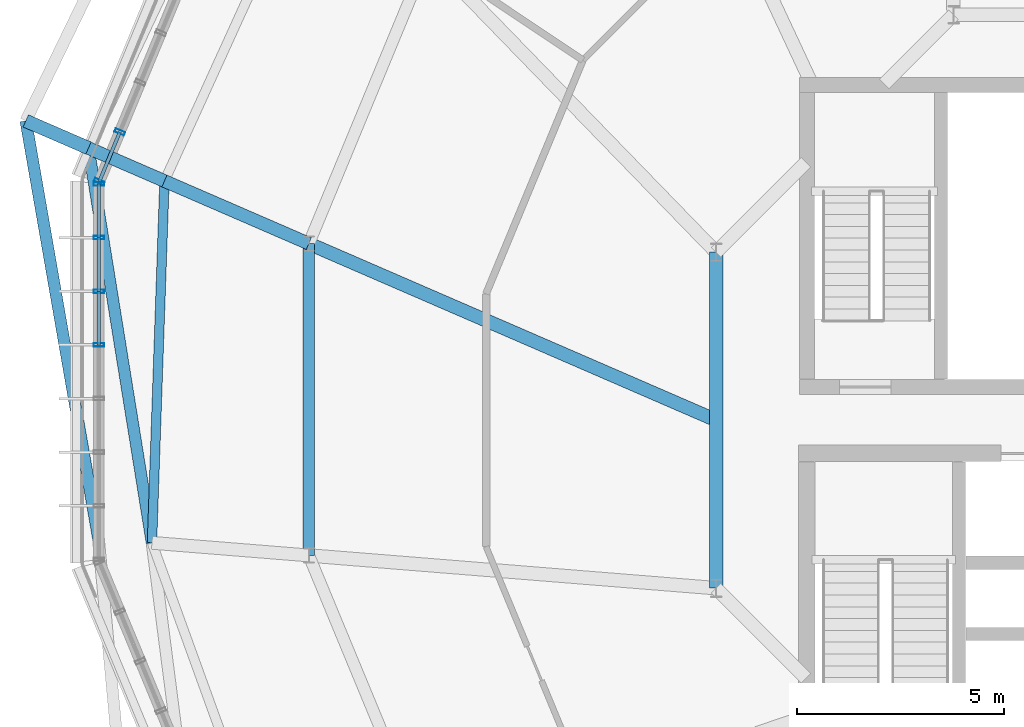
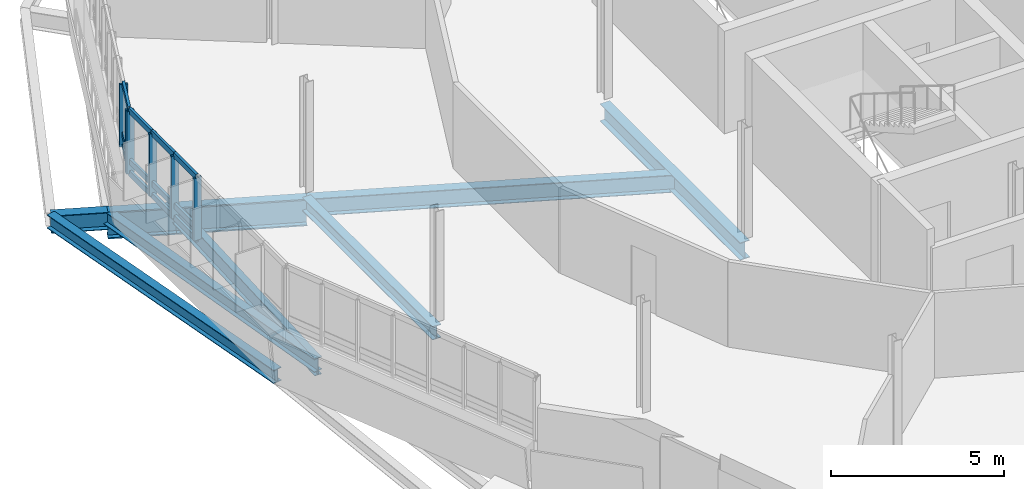
# One storey, part 8 of 38: 18 members, 9 beams, 2 elements without a shape of their own.
"""IFC4 building model written with IfcOpenShell, lengths in metres."""

from ifc_helpers import new_model, si_unit, derived_unit, direction, frame, origin, origin_2d, place, context, subcontext, project, spatial, hollow_rectangle, i_section, extrude, material, layer, layer_set, material_profile, profile_set, type_object, element, aggregate, save


model = new_model("IFC4")

# Units and contexts
model_context = context("Model", 3, precision=1e-05, world=origin(), true_north=direction((0.0, 1.0)))
body_context = subcontext(model_context, "Body", "Model", "MODEL_VIEW")
ifc_project = project(units=[si_unit("LENGTHUNIT", "METRE"), si_unit("AREAUNIT", "SQUARE_METRE"), si_unit("VOLUMEUNIT", "CUBIC_METRE"), si_unit("PLANEANGLEUNIT", "RADIAN"), si_unit("MASSUNIT", "GRAM", prefix="KILO"), derived_unit("THERMALTRANSMITTANCEUNIT", [(si_unit("MASSUNIT", "GRAM", prefix="KILO"), 1), (si_unit("TIMEUNIT", "SECOND"), -3), (si_unit("THERMODYNAMICTEMPERATUREUNIT", "KELVIN"), -1)])], contexts=[model_context])

# Site, building, storey
site_placement = place(None, origin())
site = spatial("IfcSite", under=ifc_project, at=site_placement, CompositionType="ELEMENT")
building_placement = place(site_placement, origin())
building = spatial("IfcBuilding", under=site, at=building_placement, Name="Makaiwela Harbour Ferry Terminal", CompositionType="ELEMENT")
storey_placement = place(building_placement, frame((0.0, 0.0, 17.699951171875)))
storey = spatial("IfcBuildingStorey", under=building, at=storey_placement, Name="L04", CompositionType="ELEMENT", Elevation=17.699951171875)

# Curtain wall, members
ifc_material_1 = material(Name="Marine anodised aluminium 6063-T6", Category="aluminium")
ifc_layer = layer(ifc_material_1, 0.199951171875)
ifc_layer_set = layer_set([ifc_layer], Name="Marine anodised aluminium 6063-T6")
curtain_wall_type = type_object("IfcCurtainWallType", Name="ENV-CW-06", PredefinedType="USERDEFINED", material=ifc_layer_set)
curtain_wall_1_placement = place(storey_placement, origin())
curtain_wall_1 = element("IfcCurtainWall", 1, at=curtain_wall_1_placement, inside=storey, type_object=curtain_wall_type, Name="Unitised Curtain Wall CWA-049", ObjectType="UNITIZED CURTAIN WALL", PredefinedType="USERDEFINED")
ifc_material_profile_1 = material_profile(ifc_material_1, hollow_rectangle(XDim=0.0849609375, YDim=0.25, WallThickness=0.0048828125, at=origin_2d()), Name="CWM-250X85")
ifc_profile_set_1 = profile_set([ifc_material_profile_1], Name="Marine anodised aluminium 6063-T6")
member_type_1 = type_object("IfcMemberType", Name="CW-MUL-250", PredefinedType="MULLION", material=ifc_profile_set_1)
member_1_placement = place(storey_placement, frame((13.60693359375, 74.559814453125, 1.47998046875), z_axis=(0.0, 0.0, 1.0), x_axis=(0.382683432365, 0.923879532511, 0.0)))
member_1 = element("IfcMember", 2, at=member_1_placement, type_object=member_type_1, Name="Curtain Wall Mullion CWA-049-7", PredefinedType="MULLION", context=body_context, shape_type="SweptSolid", body=[
    extrude(hollow_rectangle(XDim=0.0849609375, YDim=0.25, WallThickness=0.0048828125, at=origin_2d()), origin(), (0.0, 0.0, 1.0), 2.199951171875),
])
member_2_placement = place(storey_placement, frame((13.111083984375, 73.36279296875, 1.47998046875), z_axis=(0.0, 0.0, 1.0), x_axis=(0.382683432365, 0.923879532511, 0.0)))
member_2 = element("IfcMember", 3, at=member_2_placement, type_object=member_type_1, Name="Curtain Wall Mullion CWA-049-8", PredefinedType="MULLION", context=body_context, shape_type="SweptSolid", body=[
    extrude(hollow_rectangle(XDim=0.0849609375, YDim=0.25, WallThickness=0.0048828125, at=origin_2d()), origin(), (0.0, 0.0, 1.0), 2.199951171875),
])

curtain_wall_2_placement = place(storey_placement, origin())
curtain_wall_2 = element("IfcCurtainWall", 4, at=curtain_wall_2_placement, inside=storey, type_object=curtain_wall_type, Name="Unitised Curtain Wall CWA-050", ObjectType="UNITIZED CURTAIN WALL", PredefinedType="USERDEFINED")
member_3_placement = place(storey_placement, frame((13.099609375, 73.30517578125, 1.47998046875), z_axis=(0.0, 0.0, 1.0), x_axis=(0.0, 1.0, 0.0)))
member_3 = element("IfcMember", 5, at=member_3_placement, type_object=member_type_1, Name="Curtain Wall Mullion CWA-050-1", PredefinedType="MULLION", context=body_context, shape_type="SweptSolid", body=[
    extrude(hollow_rectangle(XDim=0.0849609375, YDim=0.25, WallThickness=0.0048828125, at=origin_2d()), origin(), (0.0, 0.0, 1.0), 2.199951171875),
])
member_4_placement = place(storey_placement, frame((13.099609375, 72.009521484375, 1.47998046875), z_axis=(0.0, 0.0, 1.0), x_axis=(0.0, 1.0, 0.0)))
member_4 = element("IfcMember", 6, at=member_4_placement, type_object=member_type_1, Name="Curtain Wall Mullion CWA-050-2", PredefinedType="MULLION", context=body_context, shape_type="SweptSolid", body=[
    extrude(hollow_rectangle(XDim=0.0849609375, YDim=0.25, WallThickness=0.0048828125, at=origin_2d()), origin(), (0.0, 0.0, 1.0), 2.199951171875),
])
member_5_placement = place(storey_placement, frame((13.099609375, 70.713623046875, 1.47998046875), z_axis=(0.0, 0.0, 1.0), x_axis=(0.0, 1.0, 0.0)))
member_5 = element("IfcMember", 7, at=member_5_placement, type_object=member_type_1, Name="Curtain Wall Mullion CWA-050-3", PredefinedType="MULLION", context=body_context, shape_type="SweptSolid", body=[
    extrude(hollow_rectangle(XDim=0.0849609375, YDim=0.25, WallThickness=0.0048828125, at=origin_2d()), origin(), (0.0, 0.0, 1.0), 2.199951171875),
])
member_6_placement = place(storey_placement, frame((13.099609375, 69.41796875, 1.47998046875), z_axis=(0.0, 0.0, 1.0), x_axis=(0.0, 1.0, 0.0)))
member_6 = element("IfcMember", 8, at=member_6_placement, type_object=member_type_1, Name="Curtain Wall Mullion CWA-050-4", PredefinedType="MULLION", context=body_context, shape_type="SweptSolid", body=[
    extrude(hollow_rectangle(XDim=0.0849609375, YDim=0.25, WallThickness=0.0048828125, at=origin_2d()), origin(), (0.0, 0.0, 1.0), 2.199951171875),
])

# Member
ifc_material_profile_2 = material_profile(ifc_material_1, hollow_rectangle(XDim=0.0849609375, YDim=0.199951171875, WallThickness=0.0048828125, at=origin_2d()), Name="CWT-200X85")
ifc_profile_set_2 = profile_set([ifc_material_profile_2], Name="Marine anodised aluminium 6063-T6")
member_type_2 = type_object("IfcMemberType", Name="CW-TRN-200", PredefinedType="USERDEFINED", material=ifc_profile_set_2)
member_7_placement = place(storey_placement, frame((13.60693359375, 74.559814453125, 1.47998046875), z_axis=(-0.382701269492, -0.92387214393, 0.0), x_axis=(0.92387214393, -0.382701269492, 0.0)))
member_7 = element("IfcMember", 9, at=member_7_placement, type_object=member_type_2, Name="Curtain Wall Transom CWA-049-7-1", ObjectType="TRANSOM", PredefinedType="USERDEFINED", context=body_context, shape_type="SweptSolid", body=[
    extrude(hollow_rectangle(XDim=0.0849609375, YDim=0.199951171875, WallThickness=0.0048828125, at=origin_2d()), origin(), (0.0, 0.0, 1.0), 1.295654296875),
])

member_8_placement = place(storey_placement, frame((13.60693359375, 74.559814453125, 1.900146484375), z_axis=(-0.382701269492, -0.92387214393, 0.0), x_axis=(0.92387214393, -0.382701269492, 0.0)))
member_8 = element("IfcMember", 10, at=member_8_placement, type_object=member_type_2, Name="Curtain Wall Transom CWA-049-7-2", ObjectType="TRANSOM", PredefinedType="USERDEFINED", context=body_context, shape_type="SweptSolid", body=[
    extrude(hollow_rectangle(XDim=0.0849609375, YDim=0.199951171875, WallThickness=0.0048828125, at=origin_2d()), origin(), (0.0, 0.0, 1.0), 1.295654296875),
])

member_9_placement = place(storey_placement, frame((13.60693359375, 74.559814453125, 3.679931640625), z_axis=(-0.382701269492, -0.92387214393, 0.0), x_axis=(0.92387214393, -0.382701269492, 0.0)))
member_9 = element("IfcMember", 11, at=member_9_placement, type_object=member_type_2, Name="Curtain Wall Transom CWA-049-7-3", ObjectType="TRANSOM", PredefinedType="USERDEFINED", context=body_context, shape_type="SweptSolid", body=[
    extrude(hollow_rectangle(XDim=0.0849609375, YDim=0.199951171875, WallThickness=0.0048828125, at=origin_2d()), origin(), (0.0, 0.0, 1.0), 1.295654296875),
])

aggregate(curtain_wall_1, [member_1, member_2, member_7, member_8, member_9])

member_10_placement = place(storey_placement, frame((13.099609375, 73.30517578125, 1.47998046875), z_axis=(0.0, -1.0, 0.0), x_axis=(1.0, 0.0, 0.0)))
member_10 = element("IfcMember", 12, at=member_10_placement, type_object=member_type_2, Name="Curtain Wall Transom CWA-050-1-1", ObjectType="TRANSOM", PredefinedType="USERDEFINED", context=body_context, shape_type="SweptSolid", body=[
    extrude(hollow_rectangle(XDim=0.0849609375, YDim=0.199951171875, WallThickness=0.0048828125, at=origin_2d()), origin(), (0.0, 0.0, 1.0), 1.295654296875),
])

member_11_placement = place(storey_placement, frame((13.099609375, 73.30517578125, 1.900146484375), z_axis=(0.0, -1.0, 0.0), x_axis=(1.0, 0.0, 0.0)))
member_11 = element("IfcMember", 13, at=member_11_placement, type_object=member_type_2, Name="Curtain Wall Transom CWA-050-1-2", ObjectType="TRANSOM", PredefinedType="USERDEFINED", context=body_context, shape_type="SweptSolid", body=[
    extrude(hollow_rectangle(XDim=0.0849609375, YDim=0.199951171875, WallThickness=0.0048828125, at=origin_2d()), origin(), (0.0, 0.0, 1.0), 1.295654296875),
])

member_12_placement = place(storey_placement, frame((13.099609375, 73.30517578125, 3.679931640625), z_axis=(0.0, -1.0, 0.0), x_axis=(1.0, 0.0, 0.0)))
member_12 = element("IfcMember", 14, at=member_12_placement, type_object=member_type_2, Name="Curtain Wall Transom CWA-050-1-3", ObjectType="TRANSOM", PredefinedType="USERDEFINED", context=body_context, shape_type="SweptSolid", body=[
    extrude(hollow_rectangle(XDim=0.0849609375, YDim=0.199951171875, WallThickness=0.0048828125, at=origin_2d()), origin(), (0.0, 0.0, 1.0), 1.295654296875),
])

member_13_placement = place(storey_placement, frame((13.099609375, 72.009521484375, 1.47998046875), z_axis=(0.0, -1.0, 0.0), x_axis=(1.0, 0.0, 0.0)))
member_13 = element("IfcMember", 15, at=member_13_placement, type_object=member_type_2, Name="Curtain Wall Transom CWA-050-2-1", ObjectType="TRANSOM", PredefinedType="USERDEFINED", context=body_context, shape_type="SweptSolid", body=[
    extrude(hollow_rectangle(XDim=0.0849609375, YDim=0.199951171875, WallThickness=0.0048828125, at=origin_2d()), origin(), (0.0, 0.0, 1.0), 1.2958984375),
])

member_14_placement = place(storey_placement, frame((13.099609375, 72.009521484375, 1.900146484375), z_axis=(0.0, -1.0, 0.0), x_axis=(1.0, 0.0, 0.0)))
member_14 = element("IfcMember", 16, at=member_14_placement, type_object=member_type_2, Name="Curtain Wall Transom CWA-050-2-2", ObjectType="TRANSOM", PredefinedType="USERDEFINED", context=body_context, shape_type="SweptSolid", body=[
    extrude(hollow_rectangle(XDim=0.0849609375, YDim=0.199951171875, WallThickness=0.0048828125, at=origin_2d()), origin(), (0.0, 0.0, 1.0), 1.2958984375),
])

member_15_placement = place(storey_placement, frame((13.099609375, 72.009521484375, 3.679931640625), z_axis=(0.0, -1.0, 0.0), x_axis=(1.0, 0.0, 0.0)))
member_15 = element("IfcMember", 17, at=member_15_placement, type_object=member_type_2, Name="Curtain Wall Transom CWA-050-2-3", ObjectType="TRANSOM", PredefinedType="USERDEFINED", context=body_context, shape_type="SweptSolid", body=[
    extrude(hollow_rectangle(XDim=0.0849609375, YDim=0.199951171875, WallThickness=0.0048828125, at=origin_2d()), origin(), (0.0, 0.0, 1.0), 1.2958984375),
])

member_16_placement = place(storey_placement, frame((13.099609375, 70.713623046875, 1.47998046875), z_axis=(0.0, -1.0, 0.0), x_axis=(1.0, 0.0, 0.0)))
member_16 = element("IfcMember", 18, at=member_16_placement, type_object=member_type_2, Name="Curtain Wall Transom CWA-050-3-1", ObjectType="TRANSOM", PredefinedType="USERDEFINED", context=body_context, shape_type="SweptSolid", body=[
    extrude(hollow_rectangle(XDim=0.0849609375, YDim=0.199951171875, WallThickness=0.0048828125, at=origin_2d()), origin(), (0.0, 0.0, 1.0), 1.295654296875),
])

member_17_placement = place(storey_placement, frame((13.099609375, 70.713623046875, 1.900146484375), z_axis=(0.0, -1.0, 0.0), x_axis=(1.0, 0.0, 0.0)))
member_17 = element("IfcMember", 19, at=member_17_placement, type_object=member_type_2, Name="Curtain Wall Transom CWA-050-3-2", ObjectType="TRANSOM", PredefinedType="USERDEFINED", context=body_context, shape_type="SweptSolid", body=[
    extrude(hollow_rectangle(XDim=0.0849609375, YDim=0.199951171875, WallThickness=0.0048828125, at=origin_2d()), origin(), (0.0, 0.0, 1.0), 1.295654296875),
])

member_18_placement = place(storey_placement, frame((13.099609375, 70.713623046875, 3.679931640625), z_axis=(0.0, -1.0, 0.0), x_axis=(1.0, 0.0, 0.0)))
member_18 = element("IfcMember", 20, at=member_18_placement, type_object=member_type_2, Name="Curtain Wall Transom CWA-050-3-3", ObjectType="TRANSOM", PredefinedType="USERDEFINED", context=body_context, shape_type="SweptSolid", body=[
    extrude(hollow_rectangle(XDim=0.0849609375, YDim=0.199951171875, WallThickness=0.0048828125, at=origin_2d()), origin(), (0.0, 0.0, 1.0), 1.295654296875),
])

aggregate(curtain_wall_2, [member_3, member_4, member_5, member_6, member_10, member_11, member_12, member_13, member_14, member_15, member_16, member_17, member_18])

# Beams
ifc_material_2 = material(Name="Steel ASTM A992 Grade 50", Category="steel")
ifc_material_profile_3 = material_profile(ifc_material_2, i_section(OverallWidth=0.280029296875, OverallDepth=0.462890625, WebThickness=0.0107421875, FlangeThickness=0.017333984375, at=origin_2d()), Name="W18X76")
ifc_profile_set_3 = profile_set([ifc_material_profile_3], Name="Steel ASTM A992 Grade 50")
beam_type_1 = type_object("IfcBeamType", Name="STR-BM-W18X76", PredefinedType="BEAM", material=ifc_profile_set_3)
beam_1_placement = place(storey_placement, frame((12.849609375, 74.172607421875, -0.486572265625), z_axis=(0.158811896599, -0.987308858209, 0.0), x_axis=(0.987308858209, 0.158811896599, 0.0)))
element("IfcBeam", 21, at=beam_1_placement, inside=storey, type_object=beam_type_1, Name="Drum stage2 tie girder 468", PredefinedType="BEAM", context=body_context, shape_type="SweptSolid", body=[
    extrude(i_section(OverallWidth=0.280029296875, OverallDepth=0.462890625, WebThickness=0.0107421875, FlangeThickness=0.017333984375, at=origin_2d()), origin(), (0.0, 0.0, 1.0), 9.65576171875),
])
ifc_material_profile_4 = material_profile(ifc_material_2, i_section(OverallWidth=0.324951171875, OverallDepth=0.615966796875, WebThickness=0.013916015625, FlangeThickness=0.021484375, at=origin_2d()), Name="W24X117")
ifc_profile_set_4 = profile_set([ifc_material_profile_4], Name="Steel ASTM A992 Grade 50")
beam_type_2 = type_object("IfcBeamType", Name="STR-GRD-W24X117", PredefinedType="USERDEFINED", material=ifc_profile_set_4)
beam_2_placement = place(storey_placement, frame((28.0068359375, 71.656494140625, -0.56298828125), z_axis=(0.0, -1.0, 0.0), x_axis=(1.0, 0.0, 0.0)))
element("IfcBeam", 22, at=beam_2_placement, inside=storey, type_object=beam_type_2, Name="Drum inner ring girder 375", ObjectType="GIRDER", PredefinedType="USERDEFINED", context=body_context, shape_type="SweptSolid", body=[
    extrude(i_section(OverallWidth=0.324951171875, OverallDepth=0.615966796875, WebThickness=0.013916015625, FlangeThickness=0.021484375, at=origin_2d()), origin(), (0.0, 0.0, 1.0), 8.11279296875),
])
beam_3_placement = place(storey_placement, frame((28.0068359375, 67.60009765625, -0.56298828125), z_axis=(-0.91745700874, 0.397834937021, 0.0), x_axis=(-0.397834937021, -0.91745700874, 0.0)))
element("IfcBeam", 23, at=beam_3_placement, inside=storey, type_object=beam_type_2, Name="Drum radial girder 424", ObjectType="GIRDER", PredefinedType="USERDEFINED", context=body_context, shape_type="SweptSolid", body=[
    extrude(i_section(OverallWidth=0.324951171875, OverallDepth=0.615966796875, WebThickness=0.013916015625, FlangeThickness=0.021484375, at=origin_2d()), origin(), (0.0, 0.0, 1.0), 10.720947265625),
])
beam_4_placement = place(storey_placement, frame((12.849609375, 74.172607421875, -0.56298828125), z_axis=(-0.917453038424, 0.39784409294, 0.0), x_axis=(-0.39784409294, -0.917453038424, 0.0)))
element("IfcBeam", 24, at=beam_4_placement, inside=storey, type_object=beam_type_2, Name="Promenade terrace bracket 427", ObjectType="GIRDER", PredefinedType="USERDEFINED", context=body_context, shape_type="SweptSolid", body=[
    extrude(i_section(OverallWidth=0.324951171875, OverallDepth=0.615966796875, WebThickness=0.013916015625, FlangeThickness=0.021484375, at=origin_2d()), origin(), (0.0, 0.0, 1.0), 1.650146484375),
])
ifc_material_profile_5 = material_profile(ifc_material_2, i_section(OverallWidth=0.22900390625, OverallDepth=0.612060546875, WebThickness=0.011962890625, FlangeThickness=0.01953125, at=origin_2d()), Name="W24X84")
ifc_profile_set_5 = profile_set([ifc_material_profile_5], Name="Steel ASTM A992 Grade 50")
beam_type_3 = type_object("IfcBeamType", Name="STR-GRD-W24X84", PredefinedType="USERDEFINED", material=ifc_profile_set_5)
beam_5_placement = place(storey_placement, frame((14.6845703125, 73.376953125, -0.56103515625), z_axis=(-0.034487282234, -0.999405136751, 0.0), x_axis=(0.999405136751, -0.034487282234, 0.0)))
element("IfcBeam", 25, at=beam_5_placement, inside=storey, type_object=beam_type_3, Name="Drum overhang tie girder 467", ObjectType="GIRDER", PredefinedType="USERDEFINED", context=body_context, shape_type="SweptSolid", body=[
    extrude(i_section(OverallWidth=0.22900390625, OverallDepth=0.612060546875, WebThickness=0.011962890625, FlangeThickness=0.01953125, at=origin_2d()), origin(), (0.0, 0.0, 1.0), 8.74267578125),
])
ifc_material_profile_6 = material_profile(ifc_material_2, i_section(OverallWidth=0.31005859375, OverallDepth=0.949951171875, WebThickness=0.0244140625, FlangeThickness=0.0439453125, at=origin_2d()), Name="W36X256")
ifc_profile_set_6 = profile_set([ifc_material_profile_6], Name="Steel ASTM A992 Grade 50")
beam_type_4 = type_object("IfcBeamType", Name="STR-GRD-W36X256", PredefinedType="USERDEFINED", material=ifc_profile_set_6)
beam_6_placement = place(storey_placement, frame((18.1708984375, 71.865234375, -0.72998046875), z_axis=(-0.917461842154, 0.397823790379, 0.0), x_axis=(-0.397823790379, -0.917461842154, 0.0)))
element("IfcBeam", 26, at=beam_6_placement, inside=storey, type_object=beam_type_4, Name="Drum radial overhang 425", ObjectType="GIRDER", PredefinedType="USERDEFINED", context=body_context, shape_type="SweptSolid", body=[
    extrude(i_section(OverallWidth=0.31005859375, OverallDepth=0.949951171875, WebThickness=0.0244140625, FlangeThickness=0.0439453125, at=origin_2d()), origin(), (0.0, 0.0, 1.0), 3.800048828125),
])
beam_7_placement = place(storey_placement, frame((14.6845703125, 73.376953125, -0.72998046875), z_axis=(-0.917463564377, 0.397819818561, 0.0), x_axis=(-0.397819818561, -0.917463564377, 0.0)))
element("IfcBeam", 27, at=beam_7_placement, inside=storey, type_object=beam_type_4, Name="Drum overhang radial girder 426", ObjectType="GIRDER", PredefinedType="USERDEFINED", context=body_context, shape_type="SweptSolid", body=[
    extrude(i_section(OverallWidth=0.31005859375, OverallDepth=0.949951171875, WebThickness=0.0244140625, FlangeThickness=0.0439453125, at=origin_2d()), origin(), (0.0, 0.0, 1.0), 2.0),
])
ifc_material_profile_7 = material_profile(ifc_material_2, i_section(OverallWidth=0.283935546875, OverallDepth=0.47607421875, WebThickness=0.014892578125, FlangeThickness=0.02392578125, at=origin_2d()), Name="W18X106")
ifc_profile_set_7 = profile_set([ifc_material_profile_7], Name="Steel ASTM A992 Grade 50")
beam_type_5 = type_object("IfcBeamType", Name="STR-SPN-W18X106", PredefinedType="SPANDREL", material=ifc_profile_set_7)
beam_8_placement = place(storey_placement, frame((18.1708984375, 71.865234375, -0.492919921875), z_axis=(0.0, -1.0, 0.0), x_axis=(1.0, 0.0, 0.0)))
element("IfcBeam", 28, at=beam_8_placement, inside=storey, type_object=beam_type_5, Name="Drum column ring girder 388", PredefinedType="SPANDREL", context=body_context, shape_type="SweptSolid", body=[
    extrude(i_section(OverallWidth=0.283935546875, OverallDepth=0.47607421875, WebThickness=0.014892578125, FlangeThickness=0.02392578125, at=origin_2d()), origin(), (0.0, 0.0, 1.0), 7.530517578125),
])
beam_9_placement = place(storey_placement, frame((11.335693359375, 74.8291015625, -0.492919921875), z_axis=(0.171352245745, -0.985209829365, 0.0), x_axis=(0.985209829365, 0.171352245745, 0.0)))
element("IfcBeam", 29, at=beam_9_placement, inside=storey, type_object=beam_type_5, Name="Drum perimeter spandrel 487", PredefinedType="SPANDREL", context=body_context, shape_type="SweptSolid", body=[
    extrude(i_section(OverallWidth=0.283935546875, OverallDepth=0.47607421875, WebThickness=0.014892578125, FlangeThickness=0.02392578125, at=origin_2d()), origin(), (0.0, 0.0, 1.0), 10.237060546875),
])

save(model, "model.ifc")
